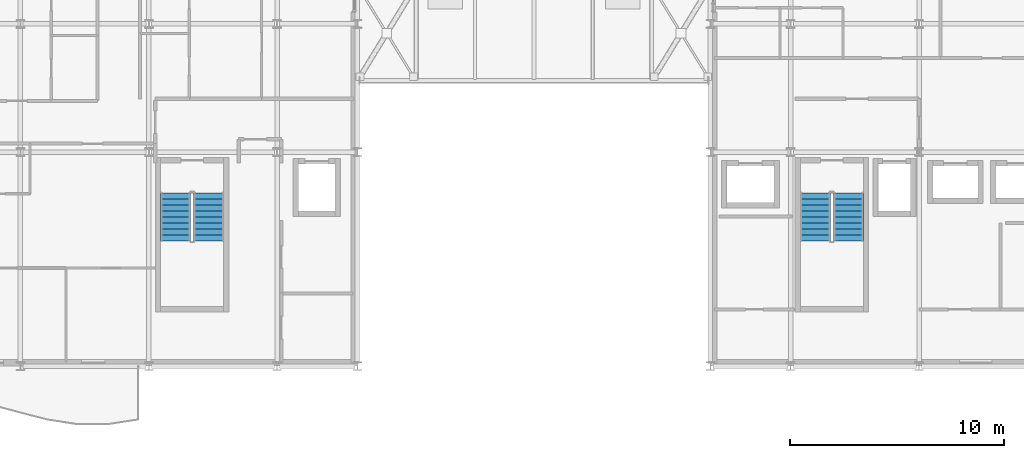
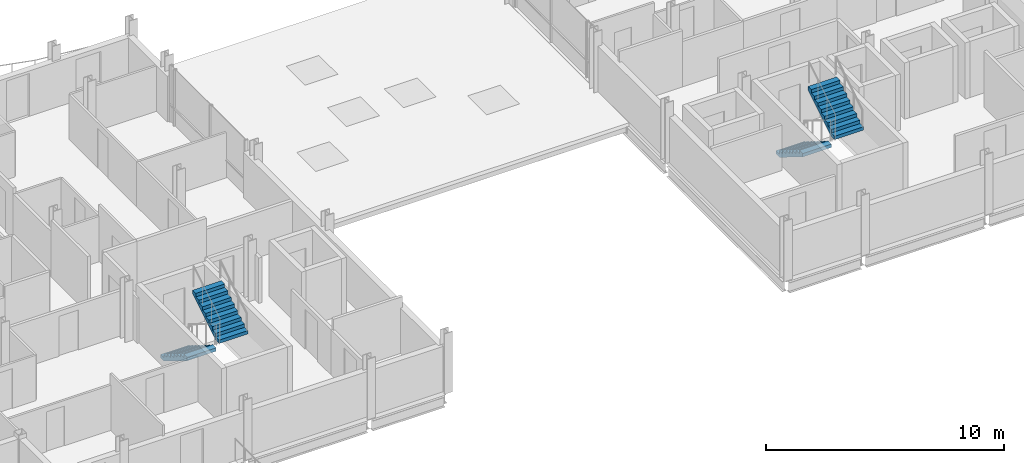
# One storey, part 31 of 33: 4 stair flights, 2 elements without a shape of their own.
"""IFC4 building model written with IfcOpenShell, lengths in metres."""

import ifcopenshell
import ifcopenshell.guid

model = None  # the IFC model being written
_history = None  # IfcOwnerHistory: only IFC2X3 demands one
_inside = {}  # id of a spatial element -> (the spatial element, [elements in it])
_under = {}  # id of a project, library or spatial element -> (it, [spatial elements below it])
_declared = {}  # id of a project -> (the project, [libraries it declares])
_typed = {}  # id of a type object -> (the type object, [elements of that type])
_made_of = {}  # id of a material, layer set ... -> (it, [elements and type objects made of it])


def new_model(schema):
    """Start an empty IFC model of exactly this schema.

    Asked for "IFC4X3", IfcOpenShell would pick the latest addendum, in which some entities
    have other attributes; the version numbers below select the first issue.
    IFC2X3 requires an IfcOwnerHistory on every rooted entity: one is made here for all.
    """
    global model, _history
    if schema == "IFC4X3":
        model = ifcopenshell.file(schema_version=(4, 3, 0, 0))
    else:
        model = ifcopenshell.file(schema=schema)
    _inside.clear()
    _under.clear()
    _declared.clear()
    _typed.clear()
    _made_of.clear()
    _history = None
    if model.schema == "IFC2X3":
        org = make("IfcOrganization", Name="unknown")
        user = make(
            "IfcPersonAndOrganization",
            ThePerson=make("IfcPerson", FamilyName="unknown"),
            TheOrganization=org,
        )
        app = make(
            "IfcApplication",
            ApplicationDeveloper=org,
            Version="unknown",
            ApplicationFullName="unknown",
            ApplicationIdentifier="unknown",
        )
        _history = make(
            "IfcOwnerHistory",
            OwningUser=user,
            OwningApplication=app,
            ChangeAction="ADDED",
            CreationDate=0,
        )
    return model


def make(cls, **values):
    """One entity of the class cls with the attributes given. An attribute that is None is left unset."""
    return model.create_entity(
        cls, **{name: value for name, value in values.items() if value is not None}
    )


def rooted(cls, **values):
    """An entity with a GlobalId (a new one), such as an element, a storey or a relation."""
    return make(cls, GlobalId=ifcopenshell.guid.new(), OwnerHistory=_history, **values)


def si_unit(unit_type, name, prefix=None):
    """IfcSIUnit, for example si_unit("LENGTHUNIT", "METRE", prefix="MILLI")."""
    return make("IfcSIUnit", UnitType=unit_type, Prefix=prefix, Name=name)


def assignment(units):
    """IfcUnitAssignment: the units of a project."""
    return None if units is None else make("IfcUnitAssignment", Units=units)


def point(xyz):
    """IfcCartesianPoint."""
    return None if xyz is None else make("IfcCartesianPoint", Coordinates=xyz)


def direction(xyz):
    """IfcDirection."""
    return None if xyz is None else make("IfcDirection", DirectionRatios=xyz)


def frame(location, z_axis=None, x_axis=None):
    """IfcAxis2Placement3D, a coordinate frame: its origin and axes. An axis left out is left unset."""
    return make(
        "IfcAxis2Placement3D",
        Location=point(location),
        Axis=direction(z_axis),
        RefDirection=direction(x_axis),
    )


def origin():
    """The frame at (0, 0, 0) with its axes left unset."""
    return frame((0.0, 0.0, 0.0))


def place(relative_to, where):
    """IfcLocalPlacement: puts the frame where relative to a parent placement (None: the world)."""
    return make(
        "IfcLocalPlacement", PlacementRelTo=relative_to, RelativePlacement=where
    )


def context(
    kind, dimensions, precision=None, world=None, true_north=None, identifier=None
):
    """IfcGeometricRepresentationContext, for example the 3D "Model" context."""
    return make(
        "IfcGeometricRepresentationContext",
        ContextIdentifier=identifier,
        ContextType=kind,
        CoordinateSpaceDimension=dimensions,
        Precision=precision,
        WorldCoordinateSystem=world,
        TrueNorth=true_north,
    )


def subcontext(parent, identifier, kind, view, scale=None):
    """IfcGeometricRepresentationSubContext, for example "Body" below "Model"."""
    return make(
        "IfcGeometricRepresentationSubContext",
        ContextIdentifier=identifier,
        ContextType=kind,
        ParentContext=parent,
        TargetScale=scale,
        TargetView=view,
    )


def project(units=None, contexts=None):
    """IfcProject with its units and contexts."""
    return rooted(
        "IfcProject",
        Name="project",
        RepresentationContexts=contexts,
        UnitsInContext=assignment(units),
    )


def spatial(cls, under=None, at=None, **own):
    """A site, building, storey or space (cls), placed at a placement, below another one or the project."""
    s = rooted(cls, ObjectPlacement=at, **own)
    if under is not None:
        _under.setdefault(under.id(), (under, []))[1].append(s)
    return s


def polyline(points):
    """IfcPolyline through the points."""
    return make("IfcPolyline", Points=[point(p) for p in points])


def outline(outer, holes=None, kind="AREA"):
    """IfcArbitraryClosedProfileDef: a profile drawn as a closed curve; with holes, ...WithVoids."""
    if holes is None:
        return make("IfcArbitraryClosedProfileDef", ProfileType=kind, OuterCurve=outer)
    return make(
        "IfcArbitraryProfileDefWithVoids",
        ProfileType=kind,
        OuterCurve=outer,
        InnerCurves=holes,
    )


def extrude(swept, where, along, depth):
    """IfcExtrudedAreaSolid: the profile swept, set in the frame where, extruded along a direction by depth."""
    return make(
        "IfcExtrudedAreaSolid",
        SweptArea=swept,
        Position=where,
        ExtrudedDirection=direction(along),
        Depth=depth,
    )


def shape(context_of_items, identifier, shape_type, items):
    """IfcShapeRepresentation: the items that make up one representation, for example the "Body"."""
    return make(
        "IfcShapeRepresentation",
        ContextOfItems=context_of_items,
        RepresentationIdentifier=identifier,
        RepresentationType=shape_type,
        Items=items,
    )


def material(Name=None, Category=None):
    """IfcMaterial."""
    return make("IfcMaterial", Name=Name, Category=Category)


def layer(
    of_material, thickness, ventilated=None, Name=None, Category=None, Priority=None
):
    """IfcMaterialLayer: one layer of a wall or slab, of a material (None: an air gap)."""
    return make(
        "IfcMaterialLayer",
        Material=of_material,
        LayerThickness=thickness,
        IsVentilated=ventilated,
        Name=Name,
        Category=Category,
        Priority=Priority,
    )


def layer_set(layers, Name=None):
    """IfcMaterialLayerSet."""
    return make("IfcMaterialLayerSet", MaterialLayers=layers, LayerSetName=Name)


def made_of(thing, what):
    """Note that an element or type object is made of a material, layer set ...; save() writes the relation."""
    if what is not None:
        _made_of.setdefault(what.id(), (what, []))[1].append(thing)
    return thing


def type_object(cls, material=None, **own):
    """A type object (cls), such as IfcWallType, which elements share."""
    return made_of(rooted(cls, **own), material)


def element(
    cls,
    number,
    at=None,
    inside=None,
    cuts=None,
    type_object=None,
    material=None,
    context=None,
    identifier="Body",
    shape_type=None,
    held_by="IfcProductDefinitionShape",
    body=None,
    shapes=None,
    **own,
):
    """One element of the class cls, such as IfcWall. Its Tag is "e" and its number.

    at: its placement. inside: the storey or other place that contains it. cuts: it is an
    opening in that element (IfcRelVoidsElement). A single representation is given by context,
    identifier, shape_type and body (its items); several are given by shapes. held_by: the class
    of the entity that holds the representations. save() writes the other relations.
    """
    e = rooted(cls, Tag="e%d" % number, ObjectPlacement=at, **own)
    if body is not None:
        shapes = [shape(context, identifier, shape_type, body)]
    if shapes is not None:
        e.Representation = make(held_by, Representations=shapes)
    if inside is not None:
        _inside.setdefault(inside.id(), (inside, []))[1].append(e)
    if cuts is not None:
        rooted(
            "IfcRelVoidsElement", RelatingBuildingElement=cuts, RelatedOpeningElement=e
        )
    if type_object is not None:
        _typed.setdefault(type_object.id(), (type_object, []))[1].append(e)
    return made_of(e, material)


def aggregate(whole, parts):
    """IfcRelAggregates: a whole, such as a stair, and the parts it consists of."""
    return rooted("IfcRelAggregates", RelatingObject=whole, RelatedObjects=parts)


def save(model, path):
    """Write the relations noted so far, then the file.

    IfcRelAggregates (storeys below a building ...), IfcRelContainedInSpatialStructure (elements
    in a storey), IfcRelDefinesByType, IfcRelAssociatesMaterial and IfcRelDeclares: one each for
    every whole, place, type object, material and project.
    """
    for whole, parts in _under.values():
        aggregate(whole, parts)
    for where, things in _inside.values():
        rooted(
            "IfcRelContainedInSpatialStructure",
            RelatedElements=things,
            RelatingStructure=where,
        )
    for kind, things in _typed.values():
        rooted("IfcRelDefinesByType", RelatedObjects=things, RelatingType=kind)
    for what, things in _made_of.values():
        rooted("IfcRelAssociatesMaterial", RelatedObjects=things, RelatingMaterial=what)
    for by, libraries in _declared.values():
        rooted("IfcRelDeclares", RelatingContext=by, RelatedDefinitions=libraries)
    model.write(path)


model = new_model("IFC4")

# Units and contexts
model_context = context("Model", 3, precision=1e-05, world=origin(), true_north=direction((0.0, 1.0)))
body_context = subcontext(model_context, "Body", "Model", "MODEL_VIEW")
ifc_project = project(units=[si_unit("LENGTHUNIT", "METRE"), si_unit("AREAUNIT", "SQUARE_METRE"), si_unit("VOLUMEUNIT", "CUBIC_METRE"), si_unit("PLANEANGLEUNIT", "RADIAN"), si_unit("MASSUNIT", "GRAM", prefix="KILO")], contexts=[model_context])

# Site, building, storey
site_placement = place(None, origin())
site = spatial("IfcSite", under=ifc_project, at=site_placement, CompositionType="ELEMENT")
building_placement = place(site_placement, origin())
building = spatial("IfcBuilding", under=site, at=building_placement, Name="Brevholm Reach", CompositionType="ELEMENT")
storey_placement = place(building_placement, frame((0.0, 0.0, 189.39990234375)))
storey = spatial("IfcBuildingStorey", under=building, at=storey_placement, Name="L57", CompositionType="ELEMENT", Elevation=189.39990234375)

# Stair, stair flights
ifc_material_1 = material(Name="Precast Concrete C40/50", Category="concrete")
stair_type = type_object("IfcStairType", Name="STR-ESC-1400", PredefinedType="DOUBLE_RETURN_STAIR", material=ifc_material_1)
stair_1_placement = place(storey_placement, origin())
stair_1 = element("IfcStair", 1, at=stair_1_placement, inside=storey, type_object=stair_type, Name="L57 ST-1", PredefinedType="DOUBLE_RETURN_STAIR")
ifc_material_2 = material(Name="Precast Concrete C40/50", Category="concrete")
ifc_layer = layer(ifc_material_2, 0.18505859375)
ifc_layer_set = layer_set([ifc_layer], Name="Precast Concrete C40/50")
stair_flight_type = type_object("IfcStairFlightType", Name="STF-PRC-185", PredefinedType="STRAIGHT", material=ifc_layer_set)
stair_flight_1_placement = place(storey_placement, frame((13.25, 8.10009765625, 0.0), z_axis=(0.0, 0.0, 1.0), x_axis=(0.0, -1.0, 0.0)))
stair_flight_1 = element("IfcStairFlight", 2, at=stair_flight_1_placement, type_object=stair_flight_type, Name="ST-1 flight 1", NumberOfRisers=9, NumberOfTreads=8, PredefinedType="STRAIGHT", RiserHeight=0.172222222, TreadLength=0.28, context=body_context, shape_type="SweptSolid", body=[
    extrude(outline(polyline([(0.0, 0.0), (0.0, 0.172119140625), (0.280029296875, 0.172119140625), (0.280029296875, 0.344482421875), (0.56005859375, 0.344482421875), (0.56005859375, 0.5166015625), (0.840087890625, 0.5166015625), (0.840087890625, 0.68896484375), (1.1201171875, 0.68896484375), (1.1201171875, 0.861083984375), (1.39990234375, 0.861083984375), (1.39990234375, 1.033447265625), (1.679931640625, 1.033447265625), (1.679931640625, 1.20556640625), (1.9599609375, 1.20556640625), (1.9599609375, 1.377685546875), (2.239990234375, 1.377685546875), (2.239990234375, 1.550048828125), (2.239990234375, 1.201904296875), (0.2861328125, 0.0), (0.0, 0.0)])), frame((0.0, 0.699951171875, 0.0), z_axis=(0.0, -1.0, 0.0), x_axis=(1.0, 0.0, 0.0)), (0.0, 0.0, 1.0), 1.39990234375),
])
stair_flight_2_placement = place(storey_placement, frame((14.800048828125, 5.860107421875, 1.550048828125), z_axis=(0.0, 0.0, 1.0), x_axis=(0.0, 1.0, 0.0)))
stair_flight_2 = element("IfcStairFlight", 3, at=stair_flight_2_placement, type_object=stair_flight_type, Name="ST-1 flight 2", NumberOfRisers=9, NumberOfTreads=8, PredefinedType="STRAIGHT", RiserHeight=0.172222222, TreadLength=0.28, context=body_context, shape_type="SweptSolid", body=[
    extrude(outline(polyline([(0.0, 0.0), (0.0, 0.172119140625), (0.280029296875, 0.172119140625), (0.280029296875, 0.344482421875), (0.56005859375, 0.344482421875), (0.56005859375, 0.5166015625), (0.840087890625, 0.5166015625), (0.840087890625, 0.68896484375), (1.1201171875, 0.68896484375), (1.1201171875, 0.861083984375), (1.39990234375, 0.861083984375), (1.39990234375, 1.033447265625), (1.679931640625, 1.033447265625), (1.679931640625, 1.20556640625), (1.9599609375, 1.20556640625), (1.9599609375, 1.377685546875), (2.239990234375, 1.377685546875), (2.239990234375, 1.550048828125), (2.239990234375, 1.201904296875), (0.2861328125, 0.0), (0.0, 0.0)])), frame((0.0, 0.699951171875, 0.0), z_axis=(0.0, -1.0, 0.0), x_axis=(1.0, 0.0, 0.0)), (0.0, 0.0, 1.0), 1.39990234375),
])
aggregate(stair_1, [stair_flight_1, stair_flight_2])

stair_2_placement = place(storey_placement, origin())
stair_2 = element("IfcStair", 4, at=stair_2_placement, inside=storey, type_object=stair_type, Name="L57 ST-2", PredefinedType="DOUBLE_RETURN_STAIR")
stair_flight_3_placement = place(storey_placement, frame((43.14990234375, 8.10009765625, 0.0), z_axis=(0.0, 0.0, 1.0), x_axis=(0.0, -1.0, 0.0)))
stair_flight_3 = element("IfcStairFlight", 5, at=stair_flight_3_placement, type_object=stair_flight_type, Name="ST-2 flight 1", NumberOfRisers=9, NumberOfTreads=8, PredefinedType="STRAIGHT", RiserHeight=0.172222222, TreadLength=0.28, context=body_context, shape_type="SweptSolid", body=[
    extrude(outline(polyline([(0.0, 0.0), (0.0, 0.172119140625), (0.280029296875, 0.172119140625), (0.280029296875, 0.344482421875), (0.56005859375, 0.344482421875), (0.56005859375, 0.5166015625), (0.840087890625, 0.5166015625), (0.840087890625, 0.68896484375), (1.1201171875, 0.68896484375), (1.1201171875, 0.861083984375), (1.39990234375, 0.861083984375), (1.39990234375, 1.033447265625), (1.679931640625, 1.033447265625), (1.679931640625, 1.20556640625), (1.9599609375, 1.20556640625), (1.9599609375, 1.377685546875), (2.239990234375, 1.377685546875), (2.239990234375, 1.550048828125), (2.239990234375, 1.201904296875), (0.2861328125, 0.0), (0.0, 0.0)])), frame((0.0, 0.699951171875, 0.0), z_axis=(0.0, -1.0, 0.0), x_axis=(1.0, 0.0, 0.0)), (0.0, 0.0, 1.0), 1.39990234375),
])
stair_flight_4_placement = place(storey_placement, frame((44.699951171875, 5.860107421875, 1.550048828125), z_axis=(0.0, 0.0, 1.0), x_axis=(0.0, 1.0, 0.0)))
stair_flight_4 = element("IfcStairFlight", 6, at=stair_flight_4_placement, type_object=stair_flight_type, Name="ST-2 flight 2", NumberOfRisers=9, NumberOfTreads=8, PredefinedType="STRAIGHT", RiserHeight=0.172222222, TreadLength=0.28, context=body_context, shape_type="SweptSolid", body=[
    extrude(outline(polyline([(0.0, 0.0), (0.0, 0.172119140625), (0.280029296875, 0.172119140625), (0.280029296875, 0.344482421875), (0.56005859375, 0.344482421875), (0.56005859375, 0.5166015625), (0.840087890625, 0.5166015625), (0.840087890625, 0.68896484375), (1.1201171875, 0.68896484375), (1.1201171875, 0.861083984375), (1.39990234375, 0.861083984375), (1.39990234375, 1.033447265625), (1.679931640625, 1.033447265625), (1.679931640625, 1.20556640625), (1.9599609375, 1.20556640625), (1.9599609375, 1.377685546875), (2.239990234375, 1.377685546875), (2.239990234375, 1.550048828125), (2.239990234375, 1.201904296875), (0.2861328125, 0.0), (0.0, 0.0)])), frame((0.0, 0.699951171875, 0.0), z_axis=(0.0, -1.0, 0.0), x_axis=(1.0, 0.0, 0.0)), (0.0, 0.0, 1.0), 1.39990234375),
])
aggregate(stair_2, [stair_flight_3, stair_flight_4])

save(model, "model.ifc")
